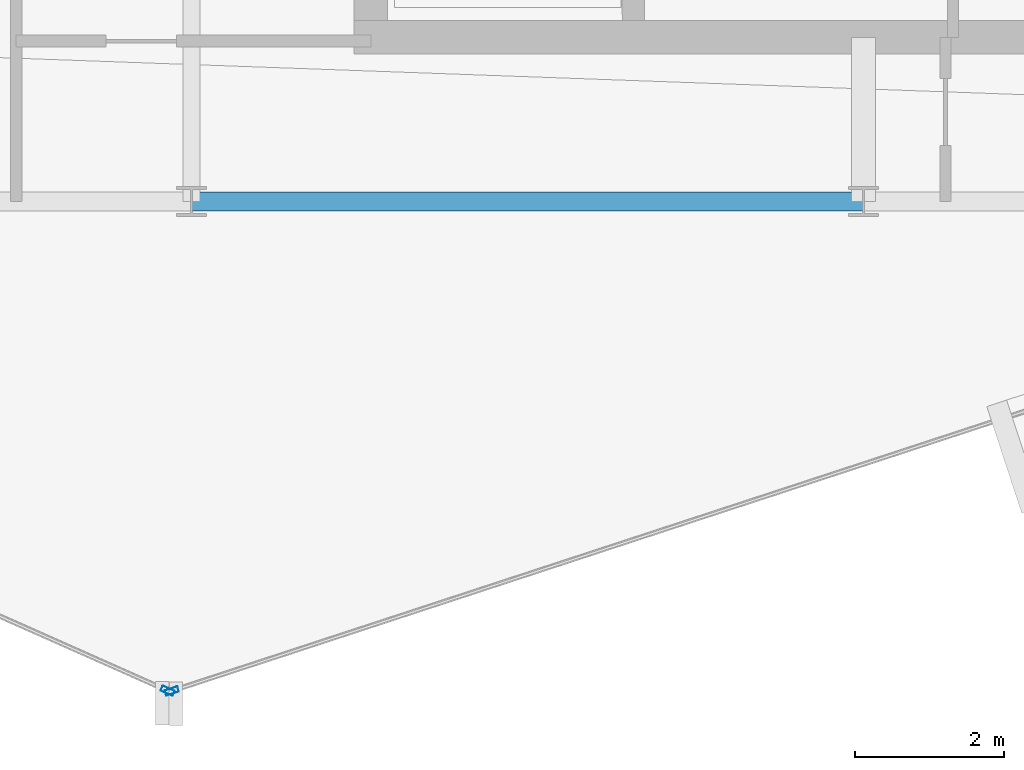
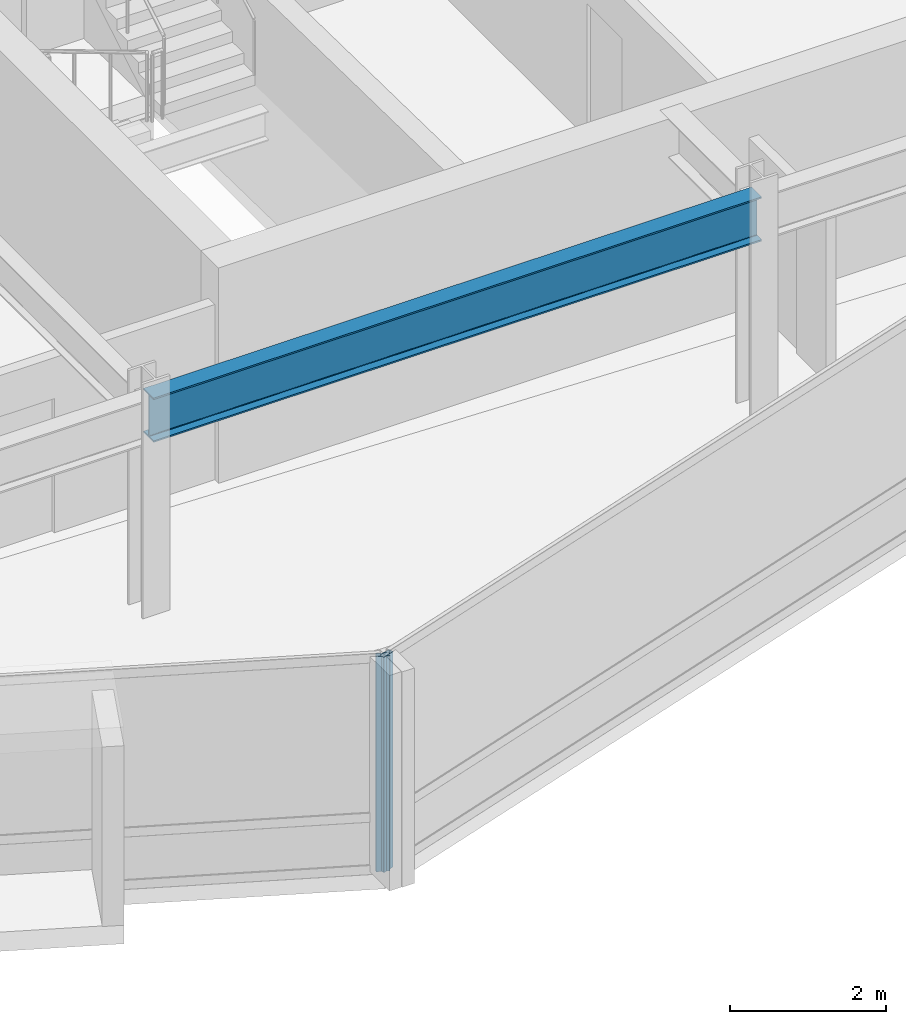
# One storey, part 4 of 27: 2 members, 1 beam, 2 elements without a shape of their own.
"""IFC4 building model written with IfcOpenShell, lengths in metres."""

from ifc_helpers import new_model, si_unit, direction, frame, origin, origin_2d, place, context, subcontext, project, spatial, hollow_rectangle, i_section, extrude, material, layer, layer_set, material_profile, profile_set, type_object, element, aggregate, save


model = new_model("IFC4")

# Units and contexts
model_context = context("Model", 3, precision=1e-05, world=origin(), true_north=direction((0.0, 1.0)))
body_context = subcontext(model_context, "Body", "Model", "MODEL_VIEW")
ifc_project = project(units=[si_unit("LENGTHUNIT", "METRE"), si_unit("AREAUNIT", "SQUARE_METRE"), si_unit("VOLUMEUNIT", "CUBIC_METRE"), si_unit("PLANEANGLEUNIT", "RADIAN"), si_unit("MASSUNIT", "GRAM", prefix="KILO")], contexts=[model_context])

# Site, building, storey
site_placement = place(None, origin())
site = spatial("IfcSite", under=ifc_project, at=site_placement, CompositionType="ELEMENT")
building_placement = place(site_placement, origin())
building = spatial("IfcBuilding", under=site, at=building_placement, Name="Solvaryn Broadcast Tower", CompositionType="ELEMENT")
storey_placement = place(building_placement, frame((0.0, 0.0, 232.10009765625)))
storey = spatial("IfcBuildingStorey", under=building, at=storey_placement, Name="L58", CompositionType="ELEMENT", Elevation=232.10009765625)

# Beam
ifc_material_1 = material(Name="Steel ASTM A992 Grade 50", Category="steel")
ifc_material_profile_1 = material_profile(ifc_material_1, i_section(OverallWidth=0.256103515625, OverallDepth=0.693115234375, WebThickness=0.014404296875, FlangeThickness=0.023681640625, FilletRadius=0.01611328125, at=origin_2d()))
ifc_profile_set_1 = profile_set([ifc_material_profile_1], Name="Steel ASTM A992 Grade 50")
beam_type = type_object("IfcBeamType", Name="BM-SP3-W27X114", PredefinedType="USERDEFINED", material=ifc_profile_set_1)
beam_placement = place(storey_placement, frame((27.0, 9.0, 3.0234375), z_axis=(1.0, 0.0, 0.0), x_axis=(0.0, 1.0, 0.0)))
element("IfcBeam", 1, at=beam_placement, inside=storey, type_object=beam_type, Name="L58 Spandrel Beam X (27-36 @ Y=9)", ObjectType="SPANDREL", PredefinedType="USERDEFINED", context=body_context, shape_type="SweptSolid", body=[
    extrude(i_section(OverallWidth=0.256103515625, OverallDepth=0.693115234375, WebThickness=0.014404296875, FlangeThickness=0.023681640625, FilletRadius=0.01611328125, at=origin_2d()), origin(), (0.0, 0.0, 1.0), 9.0),
])

# Curtain wall, member
ifc_material_2 = material(Name="Aluminium and Terracotta Unitised Curtain Wall", Category="masonry")
ifc_layer = layer(ifc_material_2, 0.199951171875)
ifc_layer_set = layer_set([ifc_layer], Name="CW-SYS2-LOWMID")
curtain_wall_type = type_object("IfcCurtainWallType", Name="CW-SYS2-LOWMID", PredefinedType="NOTDEFINED", material=ifc_layer_set)
curtain_wall_1_placement = place(storey_placement, origin())
curtain_wall_1 = element("IfcCurtainWall", 2, at=curtain_wall_1_placement, inside=storey, type_object=curtain_wall_type, Name="L58 Curtain Wall DR3", PredefinedType="NOTDEFINED")
ifc_material_3 = material(Name="Anodised Aluminium 6063-T6", Category="aluminium")
ifc_material_profile_2 = material_profile(ifc_material_3, hollow_rectangle(XDim=0.074951171875, YDim=0.179931640625, WallThickness=0.00390625, InnerFilletRadius=0.00390625, OuterFilletRadius=0.008056640625, at=origin_2d()))
ifc_profile_set_2 = profile_set([ifc_material_profile_2], Name="Anodised Aluminium 6063-T6")
member_type = type_object("IfcMemberType", Name="CW-MUL-180", PredefinedType="MULLION", material=ifc_profile_set_2)
member_1_placement = place(storey_placement, frame((26.678466796875, 2.445068359375, 0.0), z_axis=(0.0, 0.0, 1.0), x_axis=(0.405901337237, 0.913916902365, 0.0)))
member_1 = element("IfcMember", 3, at=member_1_placement, type_object=member_type, Name="CWS2 mullion 2", PredefinedType="MULLION", context=body_context, shape_type="SweptSolid", body=[
    extrude(hollow_rectangle(XDim=0.074951171875, YDim=0.179931640625, WallThickness=0.00390625, InnerFilletRadius=0.00390625, OuterFilletRadius=0.008056640625, at=origin_2d()), origin(), (0.0, 0.0, 1.0), 3.369873046875),
])
aggregate(curtain_wall_1, [member_1])

curtain_wall_2_placement = place(storey_placement, origin())
curtain_wall_2 = element("IfcCurtainWall", 4, at=curtain_wall_2_placement, inside=storey, type_object=curtain_wall_type, Name="L58 Curtain Wall DR4", PredefinedType="NOTDEFINED")
member_2_placement = place(storey_placement, frame((26.734619140625, 2.4423828125, 0.0), z_axis=(0.0, 0.0, 1.0), x_axis=(-0.311558717623, 0.950226902099, 0.0)))
member_2 = element("IfcMember", 5, at=member_2_placement, type_object=member_type, Name="CWS2 mullion 1", PredefinedType="MULLION", context=body_context, shape_type="SweptSolid", body=[
    extrude(hollow_rectangle(XDim=0.074951171875, YDim=0.179931640625, WallThickness=0.00390625, InnerFilletRadius=0.00390625, OuterFilletRadius=0.008056640625, at=origin_2d()), origin(), (0.0, 0.0, 1.0), 3.369873046875),
])
aggregate(curtain_wall_2, [member_2])

save(model, "model.ifc")
